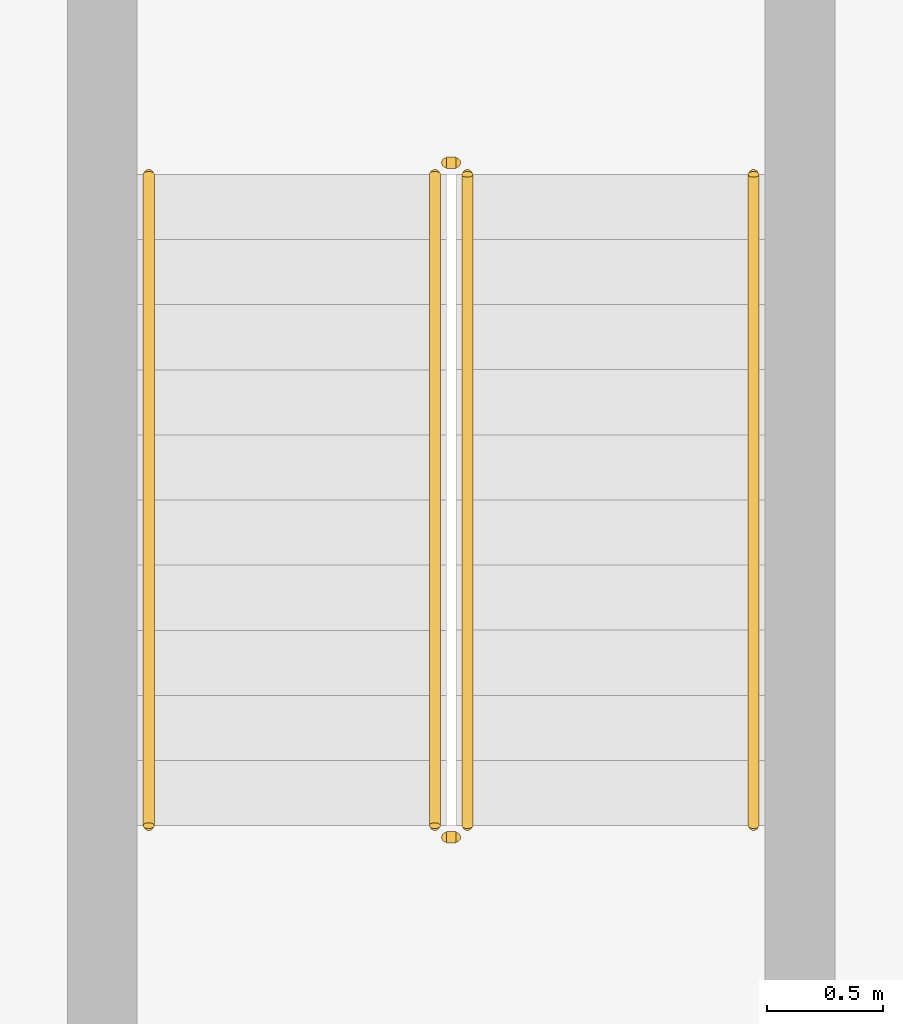
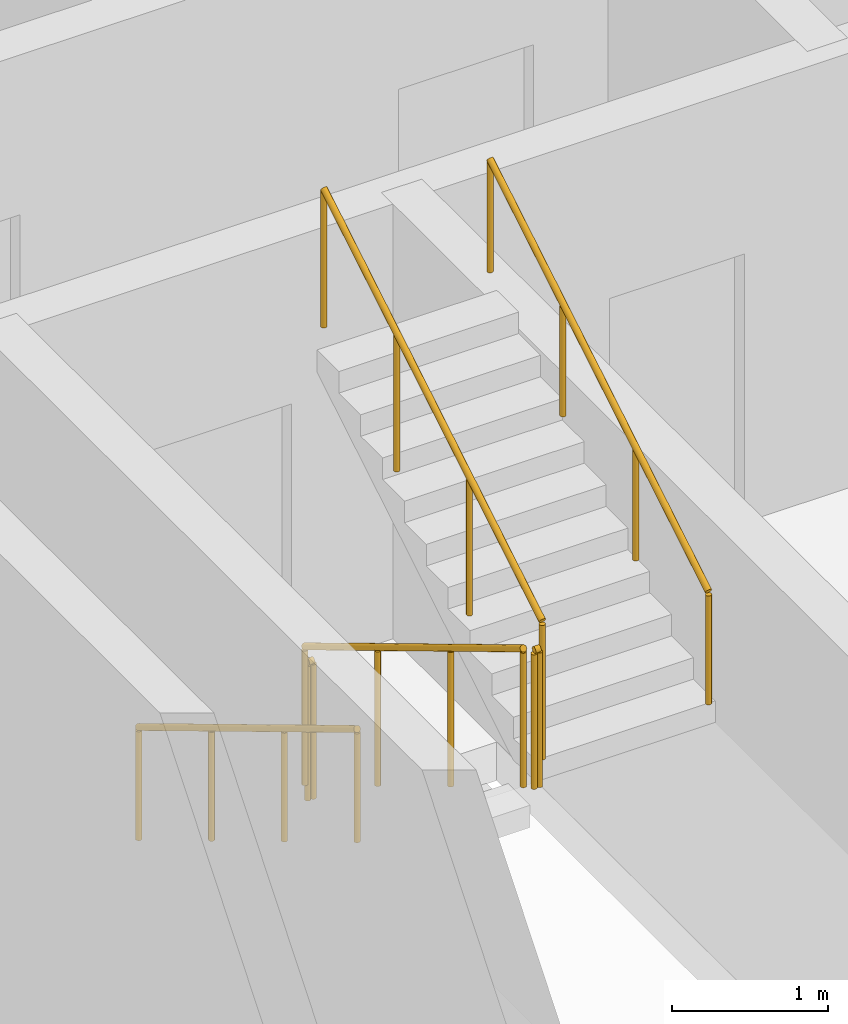
# One storey, part 31 of 35: 6 railings.
"""IFC4 building model written with IfcOpenShell, lengths in metres."""

from ifc_helpers import new_model, si_unit, direction, frame, origin, origin_2d, place, context, subcontext, project, spatial, circle, extrude, material, type_object, element, save


model = new_model("IFC4")

# Units and contexts
model_context = context("Model", 3, precision=1e-05, world=origin(), true_north=direction((0.0, 1.0)))
body_context = subcontext(model_context, "Body", "Model", "MODEL_VIEW")
ifc_project = project(units=[si_unit("LENGTHUNIT", "METRE"), si_unit("AREAUNIT", "SQUARE_METRE"), si_unit("VOLUMEUNIT", "CUBIC_METRE"), si_unit("PLANEANGLEUNIT", "RADIAN"), si_unit("MASSUNIT", "GRAM", prefix="KILO")], contexts=[model_context])

# Site, building, storey
site_placement = place(None, origin())
site = spatial("IfcSite", under=ifc_project, at=site_placement, CompositionType="ELEMENT")
building_placement = place(site_placement, origin())
building = spatial("IfcBuilding", under=site, at=building_placement, Name="Ogive Portal Towers", CompositionType="ELEMENT")
storey_placement = place(building_placement, frame((0.0, 0.0, 94.5)))
storey = spatial("IfcBuildingStorey", under=building, at=storey_placement, Name="L22", CompositionType="ELEMENT", Elevation=94.5)

# Railings
ifc_material_1 = material(Name="Stainless steel balustrade", Category="steel")
railing_type_1 = type_object("IfcRailingType", Name="INT-GUARD", PredefinedType="GUARDRAIL", material=ifc_material_1)
railing_1_placement = place(storey_placement, frame((88.280029296875, 29.169921875, 0.168212890625)))
element("IfcRailing", 1, at=railing_1_placement, inside=storey, type_object=railing_type_1, Name="L22 ST-A4 stair guard 1", PredefinedType="GUARDRAIL", context=body_context, shape_type="SweptSolid", body=[
    extrude(circle(Radius=0.02392578125, at=origin_2d()), frame((0.0, 0.0, 1.076171875), z_axis=(0.0, -0.857222391501, 0.514946377315), x_axis=(1.0, 0.0, 0.0)), (0.0, 0.0, 1.0), 3.26611328125),
    extrude(circle(Radius=0.02099609375, at=origin_2d()), origin(), (0.0, 0.0, 1.0), 1.052001953125),
    extrude(circle(Radius=0.02099609375, at=origin_2d()), frame((0.0, -0.933349609375, 0.560546875)), (0.0, 0.0, 1.0), 1.052001953125),
    extrude(circle(Radius=0.02099609375, at=origin_2d()), frame((0.0, -1.866455078125, 1.121337890625)), (0.0, 0.0, 1.0), 1.052001953125),
    extrude(circle(Radius=0.02099609375, at=origin_2d()), frame((0.0, -2.7998046875, 1.681884765625)), (0.0, 0.0, 1.0), 1.052001953125),
])
railing_2_placement = place(storey_placement, frame((88.330078125, 26.320068359375, 1.85009765625)))
element("IfcRailing", 2, at=railing_2_placement, inside=storey, type_object=railing_type_1, Name="L22 ST-A4 stair guard 2", PredefinedType="GUARDRAIL", context=body_context, shape_type="SweptSolid", body=[
    extrude(circle(Radius=0.02392578125, at=origin_2d()), frame((0.0, 0.0, 1.076171875), z_axis=(1.0, 0.0, 0.0), x_axis=(0.0, 1.0, 0.0)), (0.0, 0.0, 1.0), 0.0400390625),
    extrude(circle(Radius=0.02099609375, at=origin_2d()), origin(), (0.0, 0.0, 1.0), 1.052001953125),
    extrude(circle(Radius=0.02099609375, at=origin_2d()), frame((0.0400390625, 0.0, 0.0)), (0.0, 0.0, 1.0), 1.052001953125),
])
railing_3_placement = place(storey_placement, frame((88.419921875, 26.3701171875, 2.01806640625)))
element("IfcRailing", 3, at=railing_3_placement, inside=storey, type_object=railing_type_1, Name="L22 ST-A4 stair guard 3", PredefinedType="GUARDRAIL", context=body_context, shape_type="SweptSolid", body=[
    extrude(circle(Radius=0.02392578125, at=origin_2d()), frame((0.0, 0.0, 1.076171875), z_axis=(0.0, 0.857222391501, 0.514946377315), x_axis=(-1.0, 0.0, 0.0)), (0.0, 0.0, 1.0), 3.26611328125),
    extrude(circle(Radius=0.02099609375, at=origin_2d()), origin(), (0.0, 0.0, 1.0), 1.052001953125),
    extrude(circle(Radius=0.02099609375, at=origin_2d()), frame((0.0, 0.933349609375, 0.560546875)), (0.0, 0.0, 1.0), 1.052001953125),
    extrude(circle(Radius=0.02099609375, at=origin_2d()), frame((0.0, 1.866455078125, 1.121337890625)), (0.0, 0.0, 1.0), 1.052001953125),
    extrude(circle(Radius=0.02099609375, at=origin_2d()), frame((0.0, 2.7998046875, 1.681884765625)), (0.0, 0.0, 1.0), 1.052001953125),
])
railing_4_placement = place(storey_placement, frame((88.330078125, 29.219970703125, 0.0)))
element("IfcRailing", 4, at=railing_4_placement, inside=storey, type_object=railing_type_1, Name="L22 ST-A4 stair guard 4", PredefinedType="GUARDRAIL", context=body_context, shape_type="SweptSolid", body=[
    extrude(circle(Radius=0.02392578125, at=origin_2d()), frame((0.0, 0.0, 1.076171875), z_axis=(1.0, 0.0, 0.0), x_axis=(0.0, 1.0, 0.0)), (0.0, 0.0, 1.0), 0.0400390625),
    extrude(circle(Radius=0.02099609375, at=origin_2d()), origin(), (0.0, 0.0, 1.0), 1.052001953125),
    extrude(circle(Radius=0.02099609375, at=origin_2d()), frame((0.0400390625, 0.0, 0.0)), (0.0, 0.0, 1.0), 1.052001953125),
])
ifc_material_2 = material(Name="Stainless steel handrail", Category="steel")
railing_type_2 = type_object("IfcRailingType", Name="INT-HANDRAIL", PredefinedType="HANDRAIL", material=ifc_material_2)
railing_5_placement = place(storey_placement, frame((87.050048828125, 29.169921875, 0.168212890625)))
element("IfcRailing", 5, at=railing_5_placement, inside=storey, type_object=railing_type_2, Name="L22 ST-A4 stair handrail 1", PredefinedType="HANDRAIL", context=body_context, shape_type="SweptSolid", body=[
    extrude(circle(Radius=0.02392578125, at=origin_2d()), frame((0.0, 0.0, 0.8759765625), z_axis=(0.0, -0.857222391501, 0.514946377315), x_axis=(1.0, 0.0, 0.0)), (0.0, 0.0, 1.0), 3.26611328125),
    extrude(circle(Radius=0.02099609375, at=origin_2d()), origin(), (0.0, 0.0, 1.0), 0.851806640625),
    extrude(circle(Radius=0.02099609375, at=origin_2d()), frame((0.0, -0.933349609375, 0.560546875)), (0.0, 0.0, 1.0), 0.851806640625),
    extrude(circle(Radius=0.02099609375, at=origin_2d()), frame((0.0, -1.866455078125, 1.121337890625)), (0.0, 0.0, 1.0), 0.851806640625),
    extrude(circle(Radius=0.02099609375, at=origin_2d()), frame((0.0, -2.7998046875, 1.681884765625)), (0.0, 0.0, 1.0), 0.851806640625),
])
railing_6_placement = place(storey_placement, frame((89.64990234375, 26.3701171875, 2.01806640625)))
element("IfcRailing", 6, at=railing_6_placement, inside=storey, type_object=railing_type_2, Name="L22 ST-A4 stair handrail 2", PredefinedType="HANDRAIL", context=body_context, shape_type="SweptSolid", body=[
    extrude(circle(Radius=0.02392578125, at=origin_2d()), frame((0.0, 0.0, 0.8759765625), z_axis=(0.0, 0.857222391501, 0.514946377315), x_axis=(-1.0, 0.0, 0.0)), (0.0, 0.0, 1.0), 3.26611328125),
    extrude(circle(Radius=0.02099609375, at=origin_2d()), origin(), (0.0, 0.0, 1.0), 0.851806640625),
    extrude(circle(Radius=0.02099609375, at=origin_2d()), frame((0.0, 0.933349609375, 0.560546875)), (0.0, 0.0, 1.0), 0.851806640625),
    extrude(circle(Radius=0.02099609375, at=origin_2d()), frame((0.0, 1.866455078125, 1.121337890625)), (0.0, 0.0, 1.0), 0.851806640625),
    extrude(circle(Radius=0.02099609375, at=origin_2d()), frame((0.0, 2.7998046875, 1.681884765625)), (0.0, 0.0, 1.0), 0.851806640625),
])

save(model, "model.ifc")
